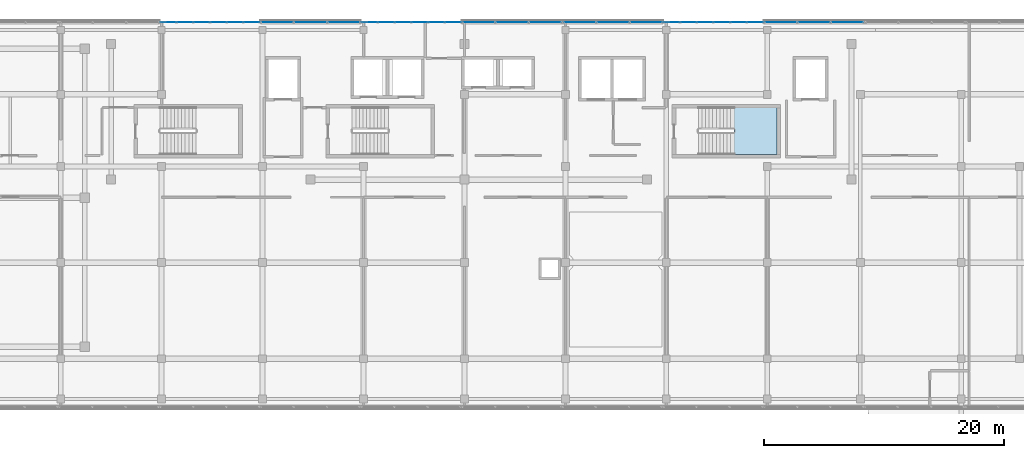
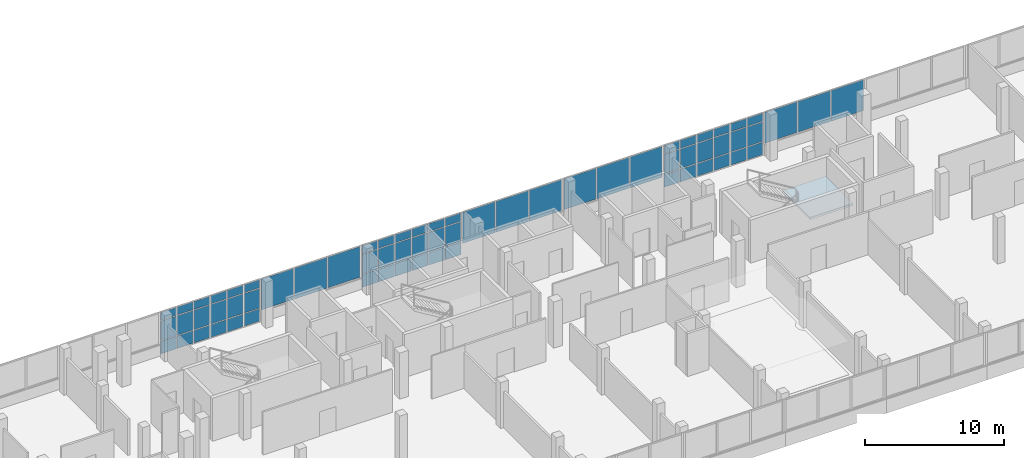
# One storey, part 64 of 76: 66 plates, 1 slab, 8 elements without a shape of their own.
"""IFC4 building model written with IfcOpenShell, lengths in metres."""

from ifc_helpers import new_model, si_unit, direction, frame, origin, origin_2d, place, context, subcontext, project, spatial, polyline, rectangle, outline, extrude, material, layer, layer_set, type_object, element, aggregate, save


model = new_model("IFC4")

# Units and contexts
model_context = context("Model", 3, precision=1e-05, world=origin(), true_north=direction((0.0, 1.0)))
body_context = subcontext(model_context, "Body", "Model", "MODEL_VIEW")
ifc_project = project(units=[si_unit("LENGTHUNIT", "METRE"), si_unit("AREAUNIT", "SQUARE_METRE"), si_unit("VOLUMEUNIT", "CUBIC_METRE"), si_unit("PLANEANGLEUNIT", "RADIAN"), si_unit("MASSUNIT", "GRAM", prefix="KILO")], contexts=[model_context])

# Site, building, storey
site_placement = place(None, origin())
site = spatial("IfcSite", under=ifc_project, at=site_placement, CompositionType="ELEMENT")
building_placement = place(site_placement, origin())
building = spatial("IfcBuilding", under=site, at=building_placement, Name="Selatvlak General Hospital", CompositionType="ELEMENT")
storey_placement = place(building_placement, frame((0.0, 0.0, 27.300048828125)))
storey = spatial("IfcBuildingStorey", under=building, at=storey_placement, Name="L06", CompositionType="ELEMENT", Elevation=27.300048828125)

# Curtain wall, plates
ifc_material_1 = material(Name="Solar-control Low-E double glazing", Category="glass")
curtain_wall_type_1 = type_object("IfcCurtainWallType", Name="CW-CW-04", PredefinedType="USERDEFINED", material=ifc_material_1)
curtain_wall_1_placement = place(storey_placement, origin())
curtain_wall_1 = element("IfcCurtainWall", 1, at=curtain_wall_1_placement, inside=storey, type_object=curtain_wall_type_1, Name="Glazed facade curtain wall CW-L06-0606", ObjectType="STICK GLAZING WALL", PredefinedType="USERDEFINED")
ifc_layer_1 = layer(ifc_material_1, 0.028076171875, Name="Solar-control Low-E double glazing", Category="glass")
ifc_layer_set_1 = layer_set([ifc_layer_1], Name="Solar-control Low-E double glazing")
plate_type = type_object("IfcPlateType", Name="CWP-01", PredefinedType="CURTAIN_PANEL", material=ifc_layer_set_1)
plate_1_placement = place(storey_placement, frame((90.55810546875, 119.9990234375, 0.06494140625), z_axis=(0.0, 0.0, 1.0), x_axis=(1.0, 0.0, 0.0)))
plate_1 = element("IfcPlate", 2, at=plate_1_placement, type_object=plate_type, Name="CW-04 panel 1.1", PredefinedType="CURTAIN_PANEL", context=body_context, shape_type="SweptSolid", body=[
    extrude(rectangle(XDim=1.2939453125, YDim=0.028076171875, at=origin_2d()), origin(), (0.0, 0.0, 1.0), 1.1025390625),
])
plate_2_placement = place(storey_placement, frame((90.55810546875, 119.9990234375, 1.232421875), z_axis=(0.0, 0.0, 1.0), x_axis=(1.0, 0.0, 0.0)))
plate_2 = element("IfcPlate", 3, at=plate_2_placement, type_object=plate_type, Name="CW-04 panel 1.2", PredefinedType="CURTAIN_PANEL", context=body_context, shape_type="SweptSolid", body=[
    extrude(rectangle(XDim=1.2939453125, YDim=0.028076171875, at=origin_2d()), origin(), (0.0, 0.0, 1.0), 1.715087890625),
])
plate_3_placement = place(storey_placement, frame((90.55810546875, 119.9990234375, 3.0126953125), z_axis=(0.0, 0.0, 1.0), x_axis=(1.0, 0.0, 0.0)))
plate_3 = element("IfcPlate", 4, at=plate_3_placement, type_object=plate_type, Name="CW-04 panel 1.3", PredefinedType="CURTAIN_PANEL", context=body_context, shape_type="SweptSolid", body=[
    extrude(rectangle(XDim=1.2939453125, YDim=0.028076171875, at=origin_2d()), origin(), (0.0, 0.0, 1.0), 0.702392578125),
])
plate_4_placement = place(storey_placement, frame((91.933349609375, 119.9990234375, 0.06494140625), z_axis=(0.0, 0.0, 1.0), x_axis=(1.0, 0.0, 0.0)))
plate_4 = element("IfcPlate", 5, at=plate_4_placement, type_object=plate_type, Name="CW-04 panel 2.1", PredefinedType="CURTAIN_PANEL", context=body_context, shape_type="SweptSolid", body=[
    extrude(rectangle(XDim=1.326416015625, YDim=0.028076171875, at=origin_2d()), origin(), (0.0, 0.0, 1.0), 1.1025390625),
])
plate_5_placement = place(storey_placement, frame((91.933349609375, 119.9990234375, 1.232421875), z_axis=(0.0, 0.0, 1.0), x_axis=(1.0, 0.0, 0.0)))
plate_5 = element("IfcPlate", 6, at=plate_5_placement, type_object=plate_type, Name="CW-04 panel 2.2", PredefinedType="CURTAIN_PANEL", context=body_context, shape_type="SweptSolid", body=[
    extrude(rectangle(XDim=1.326416015625, YDim=0.028076171875, at=origin_2d()), origin(), (0.0, 0.0, 1.0), 1.715087890625),
])
plate_6_placement = place(storey_placement, frame((91.933349609375, 119.9990234375, 3.0126953125), z_axis=(0.0, 0.0, 1.0), x_axis=(1.0, 0.0, 0.0)))
plate_6 = element("IfcPlate", 7, at=plate_6_placement, type_object=plate_type, Name="CW-04 panel 2.3", PredefinedType="CURTAIN_PANEL", context=body_context, shape_type="SweptSolid", body=[
    extrude(rectangle(XDim=1.326416015625, YDim=0.028076171875, at=origin_2d()), origin(), (0.0, 0.0, 1.0), 0.702392578125),
])
plate_7_placement = place(storey_placement, frame((93.32470703125, 119.9990234375, 0.06494140625), z_axis=(0.0, 0.0, 1.0), x_axis=(1.0, 0.0, 0.0)))
plate_7 = element("IfcPlate", 8, at=plate_7_placement, type_object=plate_type, Name="CW-04 panel 3.1", PredefinedType="CURTAIN_PANEL", context=body_context, shape_type="SweptSolid", body=[
    extrude(rectangle(XDim=1.326416015625, YDim=0.028076171875, at=origin_2d()), origin(), (0.0, 0.0, 1.0), 1.1025390625),
])
plate_8_placement = place(storey_placement, frame((93.32470703125, 119.9990234375, 1.232421875), z_axis=(0.0, 0.0, 1.0), x_axis=(1.0, 0.0, 0.0)))
plate_8 = element("IfcPlate", 9, at=plate_8_placement, type_object=plate_type, Name="CW-04 panel 3.2", PredefinedType="CURTAIN_PANEL", context=body_context, shape_type="SweptSolid", body=[
    extrude(rectangle(XDim=1.326416015625, YDim=0.028076171875, at=origin_2d()), origin(), (0.0, 0.0, 1.0), 1.715087890625),
])
plate_9_placement = place(storey_placement, frame((93.32470703125, 119.9990234375, 3.0126953125), z_axis=(0.0, 0.0, 1.0), x_axis=(1.0, 0.0, 0.0)))
plate_9 = element("IfcPlate", 10, at=plate_9_placement, type_object=plate_type, Name="CW-04 panel 3.3", PredefinedType="CURTAIN_PANEL", context=body_context, shape_type="SweptSolid", body=[
    extrude(rectangle(XDim=1.326416015625, YDim=0.028076171875, at=origin_2d()), origin(), (0.0, 0.0, 1.0), 0.702392578125),
])
plate_10_placement = place(storey_placement, frame((94.71630859375, 119.9990234375, 0.06494140625), z_axis=(0.0, 0.0, 1.0), x_axis=(1.0, 0.0, 0.0)))
plate_10 = element("IfcPlate", 11, at=plate_10_placement, type_object=plate_type, Name="CW-04 panel 4.1", PredefinedType="CURTAIN_PANEL", context=body_context, shape_type="SweptSolid", body=[
    extrude(rectangle(XDim=1.326416015625, YDim=0.028076171875, at=origin_2d()), origin(), (0.0, 0.0, 1.0), 1.1025390625),
])
plate_11_placement = place(storey_placement, frame((94.71630859375, 119.9990234375, 1.232421875), z_axis=(0.0, 0.0, 1.0), x_axis=(1.0, 0.0, 0.0)))
plate_11 = element("IfcPlate", 12, at=plate_11_placement, type_object=plate_type, Name="CW-04 panel 4.2", PredefinedType="CURTAIN_PANEL", context=body_context, shape_type="SweptSolid", body=[
    extrude(rectangle(XDim=1.326416015625, YDim=0.028076171875, at=origin_2d()), origin(), (0.0, 0.0, 1.0), 1.715087890625),
])
plate_12_placement = place(storey_placement, frame((94.71630859375, 119.9990234375, 3.0126953125), z_axis=(0.0, 0.0, 1.0), x_axis=(1.0, 0.0, 0.0)))
plate_12 = element("IfcPlate", 13, at=plate_12_placement, type_object=plate_type, Name="CW-04 panel 4.3", PredefinedType="CURTAIN_PANEL", context=body_context, shape_type="SweptSolid", body=[
    extrude(rectangle(XDim=1.326416015625, YDim=0.028076171875, at=origin_2d()), origin(), (0.0, 0.0, 1.0), 0.702392578125),
])
plate_13_placement = place(storey_placement, frame((96.107666015625, 119.9990234375, 0.06494140625), z_axis=(0.0, 0.0, 1.0), x_axis=(1.0, 0.0, 0.0)))
plate_13 = element("IfcPlate", 14, at=plate_13_placement, type_object=plate_type, Name="CW-04 panel 5.1", PredefinedType="CURTAIN_PANEL", context=body_context, shape_type="SweptSolid", body=[
    extrude(rectangle(XDim=1.326416015625, YDim=0.028076171875, at=origin_2d()), origin(), (0.0, 0.0, 1.0), 1.1025390625),
])
plate_14_placement = place(storey_placement, frame((96.107666015625, 119.9990234375, 1.232421875), z_axis=(0.0, 0.0, 1.0), x_axis=(1.0, 0.0, 0.0)))
plate_14 = element("IfcPlate", 15, at=plate_14_placement, type_object=plate_type, Name="CW-04 panel 5.2", PredefinedType="CURTAIN_PANEL", context=body_context, shape_type="SweptSolid", body=[
    extrude(rectangle(XDim=1.326416015625, YDim=0.028076171875, at=origin_2d()), origin(), (0.0, 0.0, 1.0), 1.715087890625),
])
plate_15_placement = place(storey_placement, frame((96.107666015625, 119.9990234375, 3.0126953125), z_axis=(0.0, 0.0, 1.0), x_axis=(1.0, 0.0, 0.0)))
plate_15 = element("IfcPlate", 16, at=plate_15_placement, type_object=plate_type, Name="CW-04 panel 5.3", PredefinedType="CURTAIN_PANEL", context=body_context, shape_type="SweptSolid", body=[
    extrude(rectangle(XDim=1.326416015625, YDim=0.028076171875, at=origin_2d()), origin(), (0.0, 0.0, 1.0), 0.702392578125),
])
plate_16_placement = place(storey_placement, frame((97.48291015625, 119.9990234375, 0.06494140625), z_axis=(0.0, 0.0, 1.0), x_axis=(1.0, 0.0, 0.0)))
plate_16 = element("IfcPlate", 17, at=plate_16_placement, type_object=plate_type, Name="CW-04 panel 6.1", PredefinedType="CURTAIN_PANEL", context=body_context, shape_type="SweptSolid", body=[
    extrude(rectangle(XDim=1.2939453125, YDim=0.028076171875, at=origin_2d()), origin(), (0.0, 0.0, 1.0), 1.1025390625),
])
plate_17_placement = place(storey_placement, frame((97.48291015625, 119.9990234375, 1.232421875), z_axis=(0.0, 0.0, 1.0), x_axis=(1.0, 0.0, 0.0)))
plate_17 = element("IfcPlate", 18, at=plate_17_placement, type_object=plate_type, Name="CW-04 panel 6.2", PredefinedType="CURTAIN_PANEL", context=body_context, shape_type="SweptSolid", body=[
    extrude(rectangle(XDim=1.2939453125, YDim=0.028076171875, at=origin_2d()), origin(), (0.0, 0.0, 1.0), 1.715087890625),
])
plate_18_placement = place(storey_placement, frame((97.48291015625, 119.9990234375, 3.0126953125), z_axis=(0.0, 0.0, 1.0), x_axis=(1.0, 0.0, 0.0)))
plate_18 = element("IfcPlate", 19, at=plate_18_placement, type_object=plate_type, Name="CW-04 panel 6.3", PredefinedType="CURTAIN_PANEL", context=body_context, shape_type="SweptSolid", body=[
    extrude(rectangle(XDim=1.2939453125, YDim=0.028076171875, at=origin_2d()), origin(), (0.0, 0.0, 1.0), 0.702392578125),
])
aggregate(curtain_wall_1, [plate_1, plate_2, plate_3, plate_4, plate_5, plate_6, plate_7, plate_8, plate_9, plate_10, plate_11, plate_12, plate_13, plate_14, plate_15, plate_16, plate_17, plate_18])

curtain_wall_type_2 = type_object("IfcCurtainWallType", Name="CW-CW-01", PredefinedType="USERDEFINED", material=ifc_material_1)
curtain_wall_2_placement = place(storey_placement, origin())
curtain_wall_2 = element("IfcCurtainWall", 20, at=curtain_wall_2_placement, inside=storey, type_object=curtain_wall_type_2, Name="Glazed facade curtain wall CW-L06-0607", ObjectType="UNITISED CURTAIN WALL", PredefinedType="USERDEFINED")
plate_19_placement = place(storey_placement, frame((99.6328125, 119.999267578125, 1.0048828125), z_axis=(0.0, 0.0, 1.0), x_axis=(0.999999992827, 0.000119774825, 0.0)))
plate_19 = element("IfcPlate", 21, at=plate_19_placement, type_object=plate_type, Name="CW-01 panel 1.1", PredefinedType="CURTAIN_PANEL", context=body_context, shape_type="SweptSolid", body=[
    extrude(rectangle(XDim=2.685546875, YDim=0.028076171875, at=origin_2d()), origin(), (0.0, 0.0, 1.0), 2.7099609375),
])
plate_20_placement = place(storey_placement, frame((102.3994140625, 119.99951171875, 1.0048828125), z_axis=(0.0, 0.0, 1.0), x_axis=(0.999999992827, 0.000119774825, 0.0)))
plate_20 = element("IfcPlate", 22, at=plate_20_placement, type_object=plate_type, Name="CW-01 panel 2.1", PredefinedType="CURTAIN_PANEL", context=body_context, shape_type="SweptSolid", body=[
    extrude(rectangle(XDim=2.718017578125, YDim=0.028076171875, at=origin_2d()), origin(), (0.0, 0.0, 1.0), 2.7099609375),
])
plate_21_placement = place(storey_placement, frame((105.166259765625, 119.999755859375, 1.0048828125), z_axis=(0.0, 0.0, 1.0), x_axis=(0.999999992827, 0.000119774825, 0.0)))
plate_21 = element("IfcPlate", 23, at=plate_21_placement, type_object=plate_type, Name="CW-01 panel 3.1", PredefinedType="CURTAIN_PANEL", context=body_context, shape_type="SweptSolid", body=[
    extrude(rectangle(XDim=2.685546875, YDim=0.028076171875, at=origin_2d()), origin(), (0.0, 0.0, 1.0), 2.7099609375),
])
aggregate(curtain_wall_2, [plate_19, plate_20, plate_21])

curtain_wall_3_placement = place(storey_placement, origin())
curtain_wall_3 = element("IfcCurtainWall", 24, at=curtain_wall_3_placement, inside=storey, type_object=curtain_wall_type_1, Name="Glazed facade curtain wall CW-L06-0608", ObjectType="STICK GLAZING WALL", PredefinedType="USERDEFINED")
plate_22_placement = place(storey_placement, frame((107.31591796875, 120.0, 0.06494140625), z_axis=(0.0, 0.0, 1.0), x_axis=(1.0, 0.0, 0.0)))
plate_22 = element("IfcPlate", 25, at=plate_22_placement, type_object=plate_type, Name="CW-04 panel 1.1", PredefinedType="CURTAIN_PANEL", context=body_context, shape_type="SweptSolid", body=[
    extrude(rectangle(XDim=1.2939453125, YDim=0.028076171875, at=origin_2d()), origin(), (0.0, 0.0, 1.0), 1.1025390625),
])
plate_23_placement = place(storey_placement, frame((107.31591796875, 120.0, 1.232421875), z_axis=(0.0, 0.0, 1.0), x_axis=(1.0, 0.0, 0.0)))
plate_23 = element("IfcPlate", 26, at=plate_23_placement, type_object=plate_type, Name="CW-04 panel 1.2", PredefinedType="CURTAIN_PANEL", context=body_context, shape_type="SweptSolid", body=[
    extrude(rectangle(XDim=1.2939453125, YDim=0.028076171875, at=origin_2d()), origin(), (0.0, 0.0, 1.0), 1.715087890625),
])
plate_24_placement = place(storey_placement, frame((107.31591796875, 120.0, 3.0126953125), z_axis=(0.0, 0.0, 1.0), x_axis=(1.0, 0.0, 0.0)))
plate_24 = element("IfcPlate", 27, at=plate_24_placement, type_object=plate_type, Name="CW-04 panel 1.3", PredefinedType="CURTAIN_PANEL", context=body_context, shape_type="SweptSolid", body=[
    extrude(rectangle(XDim=1.2939453125, YDim=0.028076171875, at=origin_2d()), origin(), (0.0, 0.0, 1.0), 0.702392578125),
])
plate_25_placement = place(storey_placement, frame((108.691162109375, 120.0, 0.06494140625), z_axis=(0.0, 0.0, 1.0), x_axis=(1.0, 0.0, 0.0)))
plate_25 = element("IfcPlate", 28, at=plate_25_placement, type_object=plate_type, Name="CW-04 panel 2.1", PredefinedType="CURTAIN_PANEL", context=body_context, shape_type="SweptSolid", body=[
    extrude(rectangle(XDim=1.326416015625, YDim=0.028076171875, at=origin_2d()), origin(), (0.0, 0.0, 1.0), 1.1025390625),
])
plate_26_placement = place(storey_placement, frame((108.691162109375, 120.0, 1.232421875), z_axis=(0.0, 0.0, 1.0), x_axis=(1.0, 0.0, 0.0)))
plate_26 = element("IfcPlate", 29, at=plate_26_placement, type_object=plate_type, Name="CW-04 panel 2.2", PredefinedType="CURTAIN_PANEL", context=body_context, shape_type="SweptSolid", body=[
    extrude(rectangle(XDim=1.326416015625, YDim=0.028076171875, at=origin_2d()), origin(), (0.0, 0.0, 1.0), 1.715087890625),
])
plate_27_placement = place(storey_placement, frame((108.691162109375, 120.0, 3.0126953125), z_axis=(0.0, 0.0, 1.0), x_axis=(1.0, 0.0, 0.0)))
plate_27 = element("IfcPlate", 30, at=plate_27_placement, type_object=plate_type, Name="CW-04 panel 2.3", PredefinedType="CURTAIN_PANEL", context=body_context, shape_type="SweptSolid", body=[
    extrude(rectangle(XDim=1.326416015625, YDim=0.028076171875, at=origin_2d()), origin(), (0.0, 0.0, 1.0), 0.702392578125),
])
plate_28_placement = place(storey_placement, frame((110.082763671875, 120.0, 0.06494140625), z_axis=(0.0, 0.0, 1.0), x_axis=(1.0, 0.0, 0.0)))
plate_28 = element("IfcPlate", 31, at=plate_28_placement, type_object=plate_type, Name="CW-04 panel 3.1", PredefinedType="CURTAIN_PANEL", context=body_context, shape_type="SweptSolid", body=[
    extrude(rectangle(XDim=1.326416015625, YDim=0.028076171875, at=origin_2d()), origin(), (0.0, 0.0, 1.0), 1.1025390625),
])
plate_29_placement = place(storey_placement, frame((110.082763671875, 120.0, 1.232421875), z_axis=(0.0, 0.0, 1.0), x_axis=(1.0, 0.0, 0.0)))
plate_29 = element("IfcPlate", 32, at=plate_29_placement, type_object=plate_type, Name="CW-04 panel 3.2", PredefinedType="CURTAIN_PANEL", context=body_context, shape_type="SweptSolid", body=[
    extrude(rectangle(XDim=1.326416015625, YDim=0.028076171875, at=origin_2d()), origin(), (0.0, 0.0, 1.0), 1.715087890625),
])
plate_30_placement = place(storey_placement, frame((110.082763671875, 120.0, 3.0126953125), z_axis=(0.0, 0.0, 1.0), x_axis=(1.0, 0.0, 0.0)))
plate_30 = element("IfcPlate", 33, at=plate_30_placement, type_object=plate_type, Name="CW-04 panel 3.3", PredefinedType="CURTAIN_PANEL", context=body_context, shape_type="SweptSolid", body=[
    extrude(rectangle(XDim=1.326416015625, YDim=0.028076171875, at=origin_2d()), origin(), (0.0, 0.0, 1.0), 0.702392578125),
])
plate_31_placement = place(storey_placement, frame((111.474365234375, 120.0, 0.06494140625), z_axis=(0.0, 0.0, 1.0), x_axis=(1.0, 0.0, 0.0)))
plate_31 = element("IfcPlate", 34, at=plate_31_placement, type_object=plate_type, Name="CW-04 panel 4.1", PredefinedType="CURTAIN_PANEL", context=body_context, shape_type="SweptSolid", body=[
    extrude(rectangle(XDim=1.326416015625, YDim=0.028076171875, at=origin_2d()), origin(), (0.0, 0.0, 1.0), 1.1025390625),
])
plate_32_placement = place(storey_placement, frame((111.474365234375, 120.0, 1.232421875), z_axis=(0.0, 0.0, 1.0), x_axis=(1.0, 0.0, 0.0)))
plate_32 = element("IfcPlate", 35, at=plate_32_placement, type_object=plate_type, Name="CW-04 panel 4.2", PredefinedType="CURTAIN_PANEL", context=body_context, shape_type="SweptSolid", body=[
    extrude(rectangle(XDim=1.326416015625, YDim=0.028076171875, at=origin_2d()), origin(), (0.0, 0.0, 1.0), 1.715087890625),
])
plate_33_placement = place(storey_placement, frame((111.474365234375, 120.0, 3.0126953125), z_axis=(0.0, 0.0, 1.0), x_axis=(1.0, 0.0, 0.0)))
plate_33 = element("IfcPlate", 36, at=plate_33_placement, type_object=plate_type, Name="CW-04 panel 4.3", PredefinedType="CURTAIN_PANEL", context=body_context, shape_type="SweptSolid", body=[
    extrude(rectangle(XDim=1.326416015625, YDim=0.028076171875, at=origin_2d()), origin(), (0.0, 0.0, 1.0), 0.702392578125),
])
plate_34_placement = place(storey_placement, frame((112.86572265625, 120.0, 0.06494140625), z_axis=(0.0, 0.0, 1.0), x_axis=(1.0, 0.0, 0.0)))
plate_34 = element("IfcPlate", 37, at=plate_34_placement, type_object=plate_type, Name="CW-04 panel 5.1", PredefinedType="CURTAIN_PANEL", context=body_context, shape_type="SweptSolid", body=[
    extrude(rectangle(XDim=1.326416015625, YDim=0.028076171875, at=origin_2d()), origin(), (0.0, 0.0, 1.0), 1.1025390625),
])
plate_35_placement = place(storey_placement, frame((112.86572265625, 120.0, 1.232421875), z_axis=(0.0, 0.0, 1.0), x_axis=(1.0, 0.0, 0.0)))
plate_35 = element("IfcPlate", 38, at=plate_35_placement, type_object=plate_type, Name="CW-04 panel 5.2", PredefinedType="CURTAIN_PANEL", context=body_context, shape_type="SweptSolid", body=[
    extrude(rectangle(XDim=1.326416015625, YDim=0.028076171875, at=origin_2d()), origin(), (0.0, 0.0, 1.0), 1.715087890625),
])
plate_36_placement = place(storey_placement, frame((112.86572265625, 120.0, 3.0126953125), z_axis=(0.0, 0.0, 1.0), x_axis=(1.0, 0.0, 0.0)))
plate_36 = element("IfcPlate", 39, at=plate_36_placement, type_object=plate_type, Name="CW-04 panel 5.3", PredefinedType="CURTAIN_PANEL", context=body_context, shape_type="SweptSolid", body=[
    extrude(rectangle(XDim=1.326416015625, YDim=0.028076171875, at=origin_2d()), origin(), (0.0, 0.0, 1.0), 0.702392578125),
])
plate_37_placement = place(storey_placement, frame((114.240966796875, 120.0, 0.06494140625), z_axis=(0.0, 0.0, 1.0), x_axis=(1.0, 0.0, 0.0)))
plate_37 = element("IfcPlate", 40, at=plate_37_placement, type_object=plate_type, Name="CW-04 panel 6.1", PredefinedType="CURTAIN_PANEL", context=body_context, shape_type="SweptSolid", body=[
    extrude(rectangle(XDim=1.2939453125, YDim=0.028076171875, at=origin_2d()), origin(), (0.0, 0.0, 1.0), 1.1025390625),
])
plate_38_placement = place(storey_placement, frame((114.240966796875, 120.0, 1.232421875), z_axis=(0.0, 0.0, 1.0), x_axis=(1.0, 0.0, 0.0)))
plate_38 = element("IfcPlate", 41, at=plate_38_placement, type_object=plate_type, Name="CW-04 panel 6.2", PredefinedType="CURTAIN_PANEL", context=body_context, shape_type="SweptSolid", body=[
    extrude(rectangle(XDim=1.2939453125, YDim=0.028076171875, at=origin_2d()), origin(), (0.0, 0.0, 1.0), 1.715087890625),
])
plate_39_placement = place(storey_placement, frame((114.240966796875, 120.0, 3.0126953125), z_axis=(0.0, 0.0, 1.0), x_axis=(1.0, 0.0, 0.0)))
plate_39 = element("IfcPlate", 42, at=plate_39_placement, type_object=plate_type, Name="CW-04 panel 6.3", PredefinedType="CURTAIN_PANEL", context=body_context, shape_type="SweptSolid", body=[
    extrude(rectangle(XDim=1.2939453125, YDim=0.028076171875, at=origin_2d()), origin(), (0.0, 0.0, 1.0), 0.702392578125),
])
aggregate(curtain_wall_3, [plate_22, plate_23, plate_24, plate_25, plate_26, plate_27, plate_28, plate_29, plate_30, plate_31, plate_32, plate_33, plate_34, plate_35, plate_36, plate_37, plate_38, plate_39])

curtain_wall_4_placement = place(storey_placement, origin())
curtain_wall_4 = element("IfcCurtainWall", 43, at=curtain_wall_4_placement, inside=storey, type_object=curtain_wall_type_2, Name="Glazed facade curtain wall CW-L06-0609", ObjectType="UNITISED CURTAIN WALL", PredefinedType="USERDEFINED")
plate_40_placement = place(storey_placement, frame((116.390869140625, 120.0, 1.0048828125), z_axis=(0.0, 0.0, 1.0), x_axis=(1.0, 0.0, 0.0)))
plate_40 = element("IfcPlate", 44, at=plate_40_placement, type_object=plate_type, Name="CW-01 panel 1.1", PredefinedType="CURTAIN_PANEL", context=body_context, shape_type="SweptSolid", body=[
    extrude(rectangle(XDim=2.685546875, YDim=0.028076171875, at=origin_2d()), origin(), (0.0, 0.0, 1.0), 2.7099609375),
])
plate_41_placement = place(storey_placement, frame((119.157470703125, 120.0, 1.0048828125), z_axis=(0.0, 0.0, 1.0), x_axis=(1.0, 0.0, 0.0)))
plate_41 = element("IfcPlate", 45, at=plate_41_placement, type_object=plate_type, Name="CW-01 panel 2.1", PredefinedType="CURTAIN_PANEL", context=body_context, shape_type="SweptSolid", body=[
    extrude(rectangle(XDim=2.718017578125, YDim=0.028076171875, at=origin_2d()), origin(), (0.0, 0.0, 1.0), 2.7099609375),
])
plate_42_placement = place(storey_placement, frame((121.92431640625, 120.0, 1.0048828125), z_axis=(0.0, 0.0, 1.0), x_axis=(1.0, 0.0, 0.0)))
plate_42 = element("IfcPlate", 46, at=plate_42_placement, type_object=plate_type, Name="CW-01 panel 3.1", PredefinedType="CURTAIN_PANEL", context=body_context, shape_type="SweptSolid", body=[
    extrude(rectangle(XDim=2.685546875, YDim=0.028076171875, at=origin_2d()), origin(), (0.0, 0.0, 1.0), 2.7099609375),
])
aggregate(curtain_wall_4, [plate_40, plate_41, plate_42])

curtain_wall_type_3 = type_object("IfcCurtainWallType", Name="CW-CW-02", PredefinedType="USERDEFINED", material=ifc_material_1)
curtain_wall_5_placement = place(storey_placement, origin())
curtain_wall_5 = element("IfcCurtainWall", 47, at=curtain_wall_5_placement, inside=storey, type_object=curtain_wall_type_3, Name="Glazed facade curtain wall CW-L06-0610", ObjectType="UNITISED CURTAIN WALL", PredefinedType="USERDEFINED")
plate_43_placement = place(storey_placement, frame((124.8115234375, 120.0, 1.0048828125), z_axis=(0.0, 0.0, 1.0), x_axis=(1.0, 0.0, 0.0)))
plate_43 = element("IfcPlate", 48, at=plate_43_placement, type_object=plate_type, Name="CW-02 panel 1.1", PredefinedType="CURTAIN_PANEL", context=body_context, shape_type="SweptSolid", body=[
    extrude(rectangle(XDim=2.6689453125, YDim=0.028076171875, at=origin_2d()), origin(), (0.0, 0.0, 1.0), 2.7099609375),
])
plate_44_placement = place(storey_placement, frame((127.5615234375, 120.0, 1.0048828125), z_axis=(0.0, 0.0, 1.0), x_axis=(1.0, 0.0, 0.0)))
plate_44 = element("IfcPlate", 49, at=plate_44_placement, type_object=plate_type, Name="CW-02 panel 2.1", PredefinedType="CURTAIN_PANEL", context=body_context, shape_type="SweptSolid", body=[
    extrude(rectangle(XDim=2.701416015625, YDim=0.028076171875, at=origin_2d()), origin(), (0.0, 0.0, 1.0), 2.7099609375),
])
plate_45_placement = place(storey_placement, frame((130.3115234375, 120.0, 1.0048828125), z_axis=(0.0, 0.0, 1.0), x_axis=(1.0, 0.0, 0.0)))
plate_45 = element("IfcPlate", 50, at=plate_45_placement, type_object=plate_type, Name="CW-02 panel 3.1", PredefinedType="CURTAIN_PANEL", context=body_context, shape_type="SweptSolid", body=[
    extrude(rectangle(XDim=2.6689453125, YDim=0.028076171875, at=origin_2d()), origin(), (0.0, 0.0, 1.0), 2.7099609375),
])
aggregate(curtain_wall_5, [plate_43, plate_44, plate_45])

curtain_wall_6_placement = place(storey_placement, origin())
curtain_wall_6 = element("IfcCurtainWall", 51, at=curtain_wall_6_placement, inside=storey, type_object=curtain_wall_type_1, Name="Glazed facade curtain wall CW-L06-0611", ObjectType="STICK GLAZING WALL", PredefinedType="USERDEFINED")
plate_46_placement = place(storey_placement, frame((132.452880859375, 120.0, 0.06494140625), z_axis=(0.0, 0.0, 1.0), x_axis=(1.0, 0.0, 0.0)))
plate_46 = element("IfcPlate", 52, at=plate_46_placement, type_object=plate_type, Name="CW-04 panel 1.1", PredefinedType="CURTAIN_PANEL", context=body_context, shape_type="SweptSolid", body=[
    extrude(rectangle(XDim=1.2939453125, YDim=0.028076171875, at=origin_2d()), origin(), (0.0, 0.0, 1.0), 1.1025390625),
])
plate_47_placement = place(storey_placement, frame((132.452880859375, 120.0, 1.232421875), z_axis=(0.0, 0.0, 1.0), x_axis=(1.0, 0.0, 0.0)))
plate_47 = element("IfcPlate", 53, at=plate_47_placement, type_object=plate_type, Name="CW-04 panel 1.2", PredefinedType="CURTAIN_PANEL", context=body_context, shape_type="SweptSolid", body=[
    extrude(rectangle(XDim=1.2939453125, YDim=0.028076171875, at=origin_2d()), origin(), (0.0, 0.0, 1.0), 1.715087890625),
])
plate_48_placement = place(storey_placement, frame((132.452880859375, 120.0, 3.0126953125), z_axis=(0.0, 0.0, 1.0), x_axis=(1.0, 0.0, 0.0)))
plate_48 = element("IfcPlate", 54, at=plate_48_placement, type_object=plate_type, Name="CW-04 panel 1.3", PredefinedType="CURTAIN_PANEL", context=body_context, shape_type="SweptSolid", body=[
    extrude(rectangle(XDim=1.2939453125, YDim=0.028076171875, at=origin_2d()), origin(), (0.0, 0.0, 1.0), 0.702392578125),
])
plate_49_placement = place(storey_placement, frame((133.828369140625, 120.0, 0.06494140625), z_axis=(0.0, 0.0, 1.0), x_axis=(1.0, 0.0, 0.0)))
plate_49 = element("IfcPlate", 55, at=plate_49_placement, type_object=plate_type, Name="CW-04 panel 2.1", PredefinedType="CURTAIN_PANEL", context=body_context, shape_type="SweptSolid", body=[
    extrude(rectangle(XDim=1.326416015625, YDim=0.028076171875, at=origin_2d()), origin(), (0.0, 0.0, 1.0), 1.1025390625),
])
plate_50_placement = place(storey_placement, frame((133.828369140625, 120.0, 1.232421875), z_axis=(0.0, 0.0, 1.0), x_axis=(1.0, 0.0, 0.0)))
plate_50 = element("IfcPlate", 56, at=plate_50_placement, type_object=plate_type, Name="CW-04 panel 2.2", PredefinedType="CURTAIN_PANEL", context=body_context, shape_type="SweptSolid", body=[
    extrude(rectangle(XDim=1.326416015625, YDim=0.028076171875, at=origin_2d()), origin(), (0.0, 0.0, 1.0), 1.715087890625),
])
plate_51_placement = place(storey_placement, frame((133.828369140625, 120.0, 3.0126953125), z_axis=(0.0, 0.0, 1.0), x_axis=(1.0, 0.0, 0.0)))
plate_51 = element("IfcPlate", 57, at=plate_51_placement, type_object=plate_type, Name="CW-04 panel 2.3", PredefinedType="CURTAIN_PANEL", context=body_context, shape_type="SweptSolid", body=[
    extrude(rectangle(XDim=1.326416015625, YDim=0.028076171875, at=origin_2d()), origin(), (0.0, 0.0, 1.0), 0.702392578125),
])
plate_52_placement = place(storey_placement, frame((135.2197265625, 120.0, 0.06494140625), z_axis=(0.0, 0.0, 1.0), x_axis=(1.0, 0.0, 0.0)))
plate_52 = element("IfcPlate", 58, at=plate_52_placement, type_object=plate_type, Name="CW-04 panel 3.1", PredefinedType="CURTAIN_PANEL", context=body_context, shape_type="SweptSolid", body=[
    extrude(rectangle(XDim=1.326416015625, YDim=0.028076171875, at=origin_2d()), origin(), (0.0, 0.0, 1.0), 1.1025390625),
])
plate_53_placement = place(storey_placement, frame((135.2197265625, 120.0, 1.232421875), z_axis=(0.0, 0.0, 1.0), x_axis=(1.0, 0.0, 0.0)))
plate_53 = element("IfcPlate", 59, at=plate_53_placement, type_object=plate_type, Name="CW-04 panel 3.2", PredefinedType="CURTAIN_PANEL", context=body_context, shape_type="SweptSolid", body=[
    extrude(rectangle(XDim=1.326416015625, YDim=0.028076171875, at=origin_2d()), origin(), (0.0, 0.0, 1.0), 1.715087890625),
])
plate_54_placement = place(storey_placement, frame((135.2197265625, 120.0, 3.0126953125), z_axis=(0.0, 0.0, 1.0), x_axis=(1.0, 0.0, 0.0)))
plate_54 = element("IfcPlate", 60, at=plate_54_placement, type_object=plate_type, Name="CW-04 panel 3.3", PredefinedType="CURTAIN_PANEL", context=body_context, shape_type="SweptSolid", body=[
    extrude(rectangle(XDim=1.326416015625, YDim=0.028076171875, at=origin_2d()), origin(), (0.0, 0.0, 1.0), 0.702392578125),
])
plate_55_placement = place(storey_placement, frame((136.611328125, 120.0, 0.06494140625), z_axis=(0.0, 0.0, 1.0), x_axis=(1.0, 0.0, 0.0)))
plate_55 = element("IfcPlate", 61, at=plate_55_placement, type_object=plate_type, Name="CW-04 panel 4.1", PredefinedType="CURTAIN_PANEL", context=body_context, shape_type="SweptSolid", body=[
    extrude(rectangle(XDim=1.326416015625, YDim=0.028076171875, at=origin_2d()), origin(), (0.0, 0.0, 1.0), 1.1025390625),
])
plate_56_placement = place(storey_placement, frame((136.611328125, 120.0, 1.232421875), z_axis=(0.0, 0.0, 1.0), x_axis=(1.0, 0.0, 0.0)))
plate_56 = element("IfcPlate", 62, at=plate_56_placement, type_object=plate_type, Name="CW-04 panel 4.2", PredefinedType="CURTAIN_PANEL", context=body_context, shape_type="SweptSolid", body=[
    extrude(rectangle(XDim=1.326416015625, YDim=0.028076171875, at=origin_2d()), origin(), (0.0, 0.0, 1.0), 1.715087890625),
])
plate_57_placement = place(storey_placement, frame((136.611328125, 120.0, 3.0126953125), z_axis=(0.0, 0.0, 1.0), x_axis=(1.0, 0.0, 0.0)))
plate_57 = element("IfcPlate", 63, at=plate_57_placement, type_object=plate_type, Name="CW-04 panel 4.3", PredefinedType="CURTAIN_PANEL", context=body_context, shape_type="SweptSolid", body=[
    extrude(rectangle(XDim=1.326416015625, YDim=0.028076171875, at=origin_2d()), origin(), (0.0, 0.0, 1.0), 0.702392578125),
])
plate_58_placement = place(storey_placement, frame((138.002685546875, 120.0, 0.06494140625), z_axis=(0.0, 0.0, 1.0), x_axis=(1.0, 0.0, 0.0)))
plate_58 = element("IfcPlate", 64, at=plate_58_placement, type_object=plate_type, Name="CW-04 panel 5.1", PredefinedType="CURTAIN_PANEL", context=body_context, shape_type="SweptSolid", body=[
    extrude(rectangle(XDim=1.326416015625, YDim=0.028076171875, at=origin_2d()), origin(), (0.0, 0.0, 1.0), 1.1025390625),
])
plate_59_placement = place(storey_placement, frame((138.002685546875, 120.0, 1.232421875), z_axis=(0.0, 0.0, 1.0), x_axis=(1.0, 0.0, 0.0)))
plate_59 = element("IfcPlate", 65, at=plate_59_placement, type_object=plate_type, Name="CW-04 panel 5.2", PredefinedType="CURTAIN_PANEL", context=body_context, shape_type="SweptSolid", body=[
    extrude(rectangle(XDim=1.326416015625, YDim=0.028076171875, at=origin_2d()), origin(), (0.0, 0.0, 1.0), 1.715087890625),
])
plate_60_placement = place(storey_placement, frame((138.002685546875, 120.0, 3.0126953125), z_axis=(0.0, 0.0, 1.0), x_axis=(1.0, 0.0, 0.0)))
plate_60 = element("IfcPlate", 66, at=plate_60_placement, type_object=plate_type, Name="CW-04 panel 5.3", PredefinedType="CURTAIN_PANEL", context=body_context, shape_type="SweptSolid", body=[
    extrude(rectangle(XDim=1.326416015625, YDim=0.028076171875, at=origin_2d()), origin(), (0.0, 0.0, 1.0), 0.702392578125),
])
plate_61_placement = place(storey_placement, frame((139.3779296875, 120.0, 0.06494140625), z_axis=(0.0, 0.0, 1.0), x_axis=(1.0, 0.0, 0.0)))
plate_61 = element("IfcPlate", 67, at=plate_61_placement, type_object=plate_type, Name="CW-04 panel 6.1", PredefinedType="CURTAIN_PANEL", context=body_context, shape_type="SweptSolid", body=[
    extrude(rectangle(XDim=1.2939453125, YDim=0.028076171875, at=origin_2d()), origin(), (0.0, 0.0, 1.0), 1.1025390625),
])
plate_62_placement = place(storey_placement, frame((139.3779296875, 120.0, 1.232421875), z_axis=(0.0, 0.0, 1.0), x_axis=(1.0, 0.0, 0.0)))
plate_62 = element("IfcPlate", 68, at=plate_62_placement, type_object=plate_type, Name="CW-04 panel 6.2", PredefinedType="CURTAIN_PANEL", context=body_context, shape_type="SweptSolid", body=[
    extrude(rectangle(XDim=1.2939453125, YDim=0.028076171875, at=origin_2d()), origin(), (0.0, 0.0, 1.0), 1.715087890625),
])
plate_63_placement = place(storey_placement, frame((139.3779296875, 120.0, 3.0126953125), z_axis=(0.0, 0.0, 1.0), x_axis=(1.0, 0.0, 0.0)))
plate_63 = element("IfcPlate", 69, at=plate_63_placement, type_object=plate_type, Name="CW-04 panel 6.3", PredefinedType="CURTAIN_PANEL", context=body_context, shape_type="SweptSolid", body=[
    extrude(rectangle(XDim=1.2939453125, YDim=0.028076171875, at=origin_2d()), origin(), (0.0, 0.0, 1.0), 0.702392578125),
])
aggregate(curtain_wall_6, [plate_46, plate_47, plate_48, plate_49, plate_50, plate_51, plate_52, plate_53, plate_54, plate_55, plate_56, plate_57, plate_58, plate_59, plate_60, plate_61, plate_62, plate_63])

curtain_wall_7_placement = place(storey_placement, origin())
curtain_wall_7 = element("IfcCurtainWall", 70, at=curtain_wall_7_placement, inside=storey, type_object=curtain_wall_type_3, Name="Glazed facade curtain wall CW-L06-0612", ObjectType="UNITISED CURTAIN WALL", PredefinedType="USERDEFINED")
plate_64_placement = place(storey_placement, frame((141.527587890625, 120.0, 1.0048828125), z_axis=(0.0, 0.0, 1.0), x_axis=(1.0, 0.0, 0.0)))
plate_64 = element("IfcPlate", 71, at=plate_64_placement, type_object=plate_type, Name="CW-02 panel 1.1", PredefinedType="CURTAIN_PANEL", context=body_context, shape_type="SweptSolid", body=[
    extrude(rectangle(XDim=2.68505859375, YDim=0.028076171875, at=origin_2d()), origin(), (0.0, 0.0, 1.0), 2.7099609375),
])
plate_65_placement = place(storey_placement, frame((144.2939453125, 120.0, 1.0048828125), z_axis=(0.0, 0.0, 1.0), x_axis=(1.0, 0.0, 0.0)))
plate_65 = element("IfcPlate", 72, at=plate_65_placement, type_object=plate_type, Name="CW-02 panel 2.1", PredefinedType="CURTAIN_PANEL", context=body_context, shape_type="SweptSolid", body=[
    extrude(rectangle(XDim=2.7177734375, YDim=0.028076171875, at=origin_2d()), origin(), (0.0, 0.0, 1.0), 2.7099609375),
])
plate_66_placement = place(storey_placement, frame((147.060302734375, 120.0, 1.0048828125), z_axis=(0.0, 0.0, 1.0), x_axis=(1.0, 0.0, 0.0)))
plate_66 = element("IfcPlate", 73, at=plate_66_placement, type_object=plate_type, Name="CW-02 panel 3.1", PredefinedType="CURTAIN_PANEL", context=body_context, shape_type="SweptSolid", body=[
    extrude(rectangle(XDim=2.68505859375, YDim=0.028076171875, at=origin_2d()), origin(), (0.0, 0.0, 1.0), 2.7099609375),
])
aggregate(curtain_wall_7, [plate_64, plate_65, plate_66])

# Stair, slab
ifc_material_2 = material(Name="Precast concrete C40/50", Category="concrete")
stair_type = type_object("IfcStairType", Name="STAIR-ST-04", PredefinedType="HALF_TURN_STAIR", material=ifc_material_2)
stair_placement = place(storey_placement, origin())
stair = element("IfcStair", 74, at=stair_placement, inside=storey, type_object=stair_type, Name="L06 Protected exit stair ST-04", PredefinedType="HALF_TURN_STAIR")
ifc_material_3 = material(Name="Concrete C40/50", Category="concrete")
ifc_layer_2 = layer(ifc_material_3, 0.199951171875, Name="Concrete C40/50", Category="concrete")
ifc_layer_set_2 = layer_set([ifc_layer_2], Name="Concrete C40/50")
slab_type = type_object("IfcSlabType", Name="SLAB-LND1", PredefinedType="LANDING", material=ifc_layer_set_2)
slab_placement = place(storey_placement, frame((0.0, 0.0, 1.824951171875)))
slab = element("IfcSlab", 75, at=slab_placement, type_object=slab_type, Name="ST-04 landing 1", PredefinedType="LANDING", context=body_context, shape_type="SweptSolid", body=[
    extrude(outline(polyline([(137.614990234375, 109.0), (141.199951171875, 109.0), (141.199951171875, 112.93994140625), (137.614990234375, 112.93994140625), (137.614990234375, 109.0)])), origin(), (0.0, 0.0, 1.0), 0.199951171875),
])
aggregate(stair, [slab])

save(model, "model.ifc")
